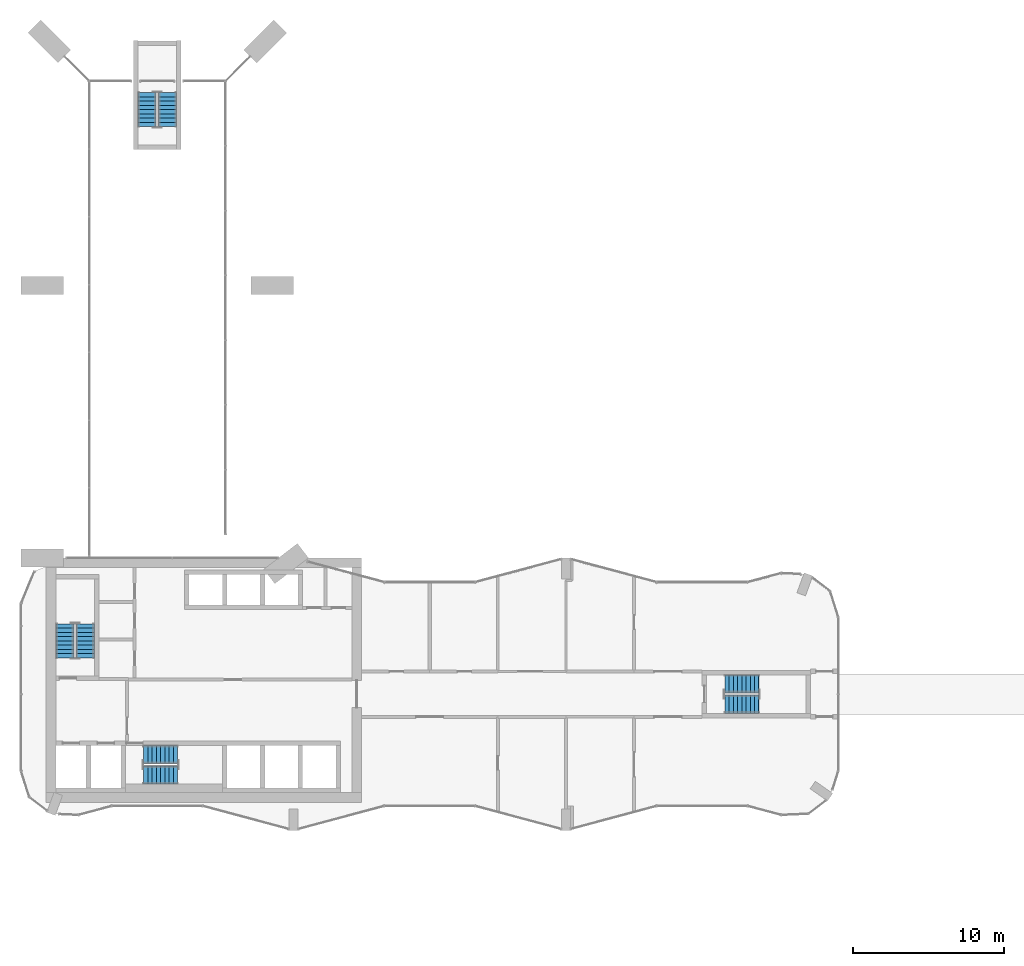
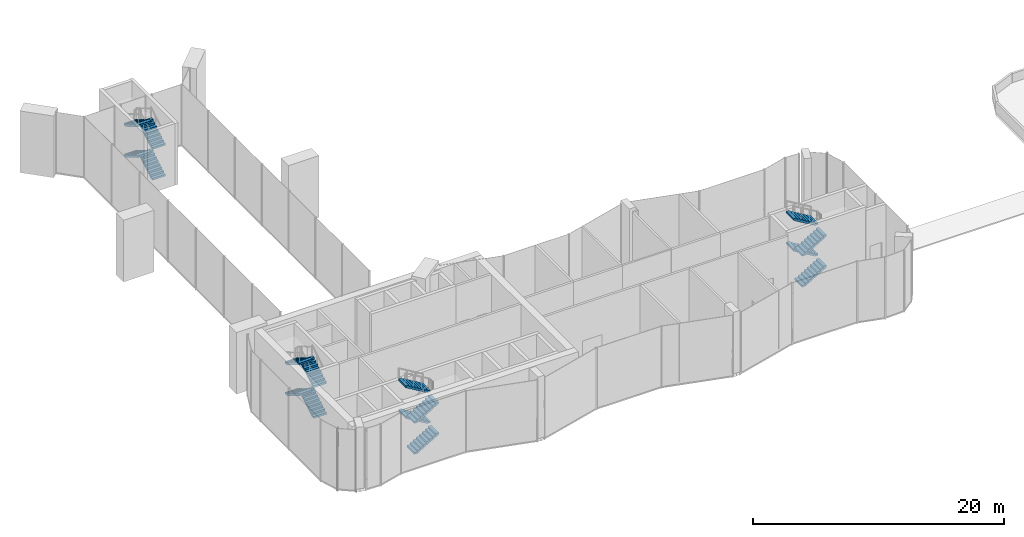
# One storey, part 14 of 19: 16 stair flights, 4 elements without a shape of their own.
"""IFC4 building model written with IfcOpenShell, lengths in metres."""

import ifcopenshell
import ifcopenshell.guid

model = None  # the IFC model being written
_history = None  # IfcOwnerHistory: only IFC2X3 demands one
_inside = {}  # id of a spatial element -> (the spatial element, [elements in it])
_under = {}  # id of a project, library or spatial element -> (it, [spatial elements below it])
_declared = {}  # id of a project -> (the project, [libraries it declares])
_typed = {}  # id of a type object -> (the type object, [elements of that type])
_made_of = {}  # id of a material, layer set ... -> (it, [elements and type objects made of it])


def new_model(schema):
    """Start an empty IFC model of exactly this schema.

    Asked for "IFC4X3", IfcOpenShell would pick the latest addendum, in which some entities
    have other attributes; the version numbers below select the first issue.
    IFC2X3 requires an IfcOwnerHistory on every rooted entity: one is made here for all.
    """
    global model, _history
    if schema == "IFC4X3":
        model = ifcopenshell.file(schema_version=(4, 3, 0, 0))
    else:
        model = ifcopenshell.file(schema=schema)
    _inside.clear()
    _under.clear()
    _declared.clear()
    _typed.clear()
    _made_of.clear()
    _history = None
    if model.schema == "IFC2X3":
        org = make("IfcOrganization", Name="unknown")
        user = make(
            "IfcPersonAndOrganization",
            ThePerson=make("IfcPerson", FamilyName="unknown"),
            TheOrganization=org,
        )
        app = make(
            "IfcApplication",
            ApplicationDeveloper=org,
            Version="unknown",
            ApplicationFullName="unknown",
            ApplicationIdentifier="unknown",
        )
        _history = make(
            "IfcOwnerHistory",
            OwningUser=user,
            OwningApplication=app,
            ChangeAction="ADDED",
            CreationDate=0,
        )
    return model


def make(cls, **values):
    """One entity of the class cls with the attributes given. An attribute that is None is left unset."""
    return model.create_entity(
        cls, **{name: value for name, value in values.items() if value is not None}
    )


def rooted(cls, **values):
    """An entity with a GlobalId (a new one), such as an element, a storey or a relation."""
    return make(cls, GlobalId=ifcopenshell.guid.new(), OwnerHistory=_history, **values)


def si_unit(unit_type, name, prefix=None):
    """IfcSIUnit, for example si_unit("LENGTHUNIT", "METRE", prefix="MILLI")."""
    return make("IfcSIUnit", UnitType=unit_type, Prefix=prefix, Name=name)


def assignment(units):
    """IfcUnitAssignment: the units of a project."""
    return None if units is None else make("IfcUnitAssignment", Units=units)


def point(xyz):
    """IfcCartesianPoint."""
    return None if xyz is None else make("IfcCartesianPoint", Coordinates=xyz)


def direction(xyz):
    """IfcDirection."""
    return None if xyz is None else make("IfcDirection", DirectionRatios=xyz)


def frame(location, z_axis=None, x_axis=None):
    """IfcAxis2Placement3D, a coordinate frame: its origin and axes. An axis left out is left unset."""
    return make(
        "IfcAxis2Placement3D",
        Location=point(location),
        Axis=direction(z_axis),
        RefDirection=direction(x_axis),
    )


def origin():
    """The frame at (0, 0, 0) with its axes left unset."""
    return frame((0.0, 0.0, 0.0))


def place(relative_to, where):
    """IfcLocalPlacement: puts the frame where relative to a parent placement (None: the world)."""
    return make(
        "IfcLocalPlacement", PlacementRelTo=relative_to, RelativePlacement=where
    )


def context(
    kind, dimensions, precision=None, world=None, true_north=None, identifier=None
):
    """IfcGeometricRepresentationContext, for example the 3D "Model" context."""
    return make(
        "IfcGeometricRepresentationContext",
        ContextIdentifier=identifier,
        ContextType=kind,
        CoordinateSpaceDimension=dimensions,
        Precision=precision,
        WorldCoordinateSystem=world,
        TrueNorth=true_north,
    )


def subcontext(parent, identifier, kind, view, scale=None):
    """IfcGeometricRepresentationSubContext, for example "Body" below "Model"."""
    return make(
        "IfcGeometricRepresentationSubContext",
        ContextIdentifier=identifier,
        ContextType=kind,
        ParentContext=parent,
        TargetScale=scale,
        TargetView=view,
    )


def project(units=None, contexts=None):
    """IfcProject with its units and contexts."""
    return rooted(
        "IfcProject",
        Name="project",
        RepresentationContexts=contexts,
        UnitsInContext=assignment(units),
    )


def spatial(cls, under=None, at=None, **own):
    """A site, building, storey or space (cls), placed at a placement, below another one or the project."""
    s = rooted(cls, ObjectPlacement=at, **own)
    if under is not None:
        _under.setdefault(under.id(), (under, []))[1].append(s)
    return s


def polyline(points):
    """IfcPolyline through the points."""
    return make("IfcPolyline", Points=[point(p) for p in points])


def outline(outer, holes=None, kind="AREA"):
    """IfcArbitraryClosedProfileDef: a profile drawn as a closed curve; with holes, ...WithVoids."""
    if holes is None:
        return make("IfcArbitraryClosedProfileDef", ProfileType=kind, OuterCurve=outer)
    return make(
        "IfcArbitraryProfileDefWithVoids",
        ProfileType=kind,
        OuterCurve=outer,
        InnerCurves=holes,
    )


def extrude(swept, where, along, depth):
    """IfcExtrudedAreaSolid: the profile swept, set in the frame where, extruded along a direction by depth."""
    return make(
        "IfcExtrudedAreaSolid",
        SweptArea=swept,
        Position=where,
        ExtrudedDirection=direction(along),
        Depth=depth,
    )


def shape(context_of_items, identifier, shape_type, items):
    """IfcShapeRepresentation: the items that make up one representation, for example the "Body"."""
    return make(
        "IfcShapeRepresentation",
        ContextOfItems=context_of_items,
        RepresentationIdentifier=identifier,
        RepresentationType=shape_type,
        Items=items,
    )


def material(Name=None, Category=None):
    """IfcMaterial."""
    return make("IfcMaterial", Name=Name, Category=Category)


def made_of(thing, what):
    """Note that an element or type object is made of a material, layer set ...; save() writes the relation."""
    if what is not None:
        _made_of.setdefault(what.id(), (what, []))[1].append(thing)
    return thing


def type_object(cls, material=None, **own):
    """A type object (cls), such as IfcWallType, which elements share."""
    return made_of(rooted(cls, **own), material)


def element(
    cls,
    number,
    at=None,
    inside=None,
    cuts=None,
    type_object=None,
    material=None,
    context=None,
    identifier="Body",
    shape_type=None,
    held_by="IfcProductDefinitionShape",
    body=None,
    shapes=None,
    **own,
):
    """One element of the class cls, such as IfcWall. Its Tag is "e" and its number.

    at: its placement. inside: the storey or other place that contains it. cuts: it is an
    opening in that element (IfcRelVoidsElement). A single representation is given by context,
    identifier, shape_type and body (its items); several are given by shapes. held_by: the class
    of the entity that holds the representations. save() writes the other relations.
    """
    e = rooted(cls, Tag="e%d" % number, ObjectPlacement=at, **own)
    if body is not None:
        shapes = [shape(context, identifier, shape_type, body)]
    if shapes is not None:
        e.Representation = make(held_by, Representations=shapes)
    if inside is not None:
        _inside.setdefault(inside.id(), (inside, []))[1].append(e)
    if cuts is not None:
        rooted(
            "IfcRelVoidsElement", RelatingBuildingElement=cuts, RelatedOpeningElement=e
        )
    if type_object is not None:
        _typed.setdefault(type_object.id(), (type_object, []))[1].append(e)
    return made_of(e, material)


def aggregate(whole, parts):
    """IfcRelAggregates: a whole, such as a stair, and the parts it consists of."""
    return rooted("IfcRelAggregates", RelatingObject=whole, RelatedObjects=parts)


def save(model, path):
    """Write the relations noted so far, then the file.

    IfcRelAggregates (storeys below a building ...), IfcRelContainedInSpatialStructure (elements
    in a storey), IfcRelDefinesByType, IfcRelAssociatesMaterial and IfcRelDeclares: one each for
    every whole, place, type object, material and project.
    """
    for whole, parts in _under.values():
        aggregate(whole, parts)
    for where, things in _inside.values():
        rooted(
            "IfcRelContainedInSpatialStructure",
            RelatedElements=things,
            RelatingStructure=where,
        )
    for kind, things in _typed.values():
        rooted("IfcRelDefinesByType", RelatedObjects=things, RelatingType=kind)
    for what, things in _made_of.values():
        rooted("IfcRelAssociatesMaterial", RelatedObjects=things, RelatingMaterial=what)
    for by, libraries in _declared.values():
        rooted("IfcRelDeclares", RelatingContext=by, RelatedDefinitions=libraries)
    model.write(path)


model = new_model("IFC4")

# Units and contexts
model_context = context("Model", 3, precision=1e-05, world=origin(), true_north=direction((0.0, 1.0)))
body_context = subcontext(model_context, "Body", "Model", "MODEL_VIEW")
ifc_project = project(units=[si_unit("LENGTHUNIT", "METRE"), si_unit("AREAUNIT", "SQUARE_METRE"), si_unit("VOLUMEUNIT", "CUBIC_METRE"), si_unit("PLANEANGLEUNIT", "RADIAN"), si_unit("MASSUNIT", "GRAM", prefix="KILO")], contexts=[model_context])

# Site, building, storey
site_placement = place(None, origin())
site = spatial("IfcSite", under=ifc_project, at=site_placement, CompositionType="ELEMENT")
building_placement = place(site_placement, origin())
building = spatial("IfcBuilding", under=site, at=building_placement, Name="Plateau Cross Towers", CompositionType="ELEMENT")
storey_placement = place(building_placement, frame((0.0, 0.0, 128.60009765625)))
storey = spatial("IfcBuildingStorey", under=building, at=storey_placement, Name="L33", CompositionType="ELEMENT", Elevation=128.60009765625)

# Stair, stair flights
ifc_material = material(Name="Concrete C40/50", Category="concrete")
stair_type = type_object("IfcStairType", Name="ST-TWR", PredefinedType="HALF_TURN_STAIR", material=ifc_material)
stair_1_placement = place(storey_placement, origin())
stair_1 = element("IfcStair", 1, at=stair_1_placement, inside=storey, type_object=stair_type, Name="L33 Protected Exit Stair ST-1", PredefinedType="HALF_TURN_STAIR")
stair_flight_type = type_object("IfcStairFlightType", Name="SFL-RC", PredefinedType="STRAIGHT", material=ifc_material)
stair_flight_1_placement = place(storey_placement, frame((4.25, 11.39990234375, 0.0), z_axis=(0.0, 0.0, 1.0), x_axis=(0.0, 1.0, 0.0)))
stair_flight_1 = element("IfcStairFlight", 2, at=stair_flight_1_placement, type_object=stair_flight_type, Name="ST-1 flight 1", NumberOfRisers=9, NumberOfTreads=8, PredefinedType="STRAIGHT", RiserHeight=0.166666667, TreadLength=0.28, context=body_context, shape_type="SweptSolid", body=[
    extrude(outline(polyline([(-0.0048828125, -0.010009765625), (-0.0048828125, 0.0), (0.0, 0.0), (0.0, 0.166748046875), (0.280029296875, 0.166748046875), (0.280029296875, 0.333251953125), (0.56005859375, 0.333251953125), (0.56005859375, 0.5), (0.840087890625, 0.5), (0.840087890625, 0.666748046875), (1.1201171875, 0.666748046875), (1.1201171875, 0.833251953125), (1.39990234375, 0.833251953125), (1.39990234375, 1.0), (1.679931640625, 1.0), (1.679931640625, 1.166748046875), (1.9599609375, 1.166748046875), (1.9599609375, 1.333251953125), (2.239990234375, 1.333251953125), (2.2451171875, 1.3232421875), (2.2451171875, 1.158935546875), (2.239990234375, 1.158935546875), (0.29296875, 0.0), (0.02001953125, 0.0), (0.02001953125, -0.010009765625), (-0.0048828125, -0.010009765625)])), frame((0.0, 0.60009765625, 0.0), z_axis=(0.0, -1.0, 0.0), x_axis=(1.0, 0.0, 0.0)), (0.0, 0.0, 1.0), 1.199951171875),
])
stair_flight_2_placement = place(storey_placement, frame((2.89990234375, 13.639892578125, 1.5), z_axis=(0.0, 0.0, 1.0), x_axis=(0.0, -1.0, 0.0)))
stair_flight_2 = element("IfcStairFlight", 3, at=stair_flight_2_placement, type_object=stair_flight_type, Name="ST-1 flight 2", NumberOfRisers=9, NumberOfTreads=8, PredefinedType="STRAIGHT", RiserHeight=0.166666667, TreadLength=0.28, context=body_context, shape_type="SweptSolid", body=[
    extrude(outline(polyline([(-0.0048828125, -0.010009765625), (-0.0048828125, 0.0), (0.0, 0.0), (0.0, 0.166748046875), (0.280029296875, 0.166748046875), (0.280029296875, 0.333251953125), (0.56005859375, 0.333251953125), (0.56005859375, 0.5), (0.840087890625, 0.5), (0.840087890625, 0.666748046875), (1.1201171875, 0.666748046875), (1.1201171875, 0.833251953125), (1.39990234375, 0.833251953125), (1.39990234375, 1.0), (1.679931640625, 1.0), (1.679931640625, 1.166748046875), (1.9599609375, 1.166748046875), (1.9599609375, 1.333251953125), (2.239990234375, 1.333251953125), (2.2451171875, 1.3232421875), (2.2451171875, 1.158935546875), (2.239990234375, 1.158935546875), (0.29296875, 0.0), (0.02001953125, 0.0), (0.02001953125, -0.010009765625), (-0.0048828125, -0.010009765625)])), frame((0.0, 0.60009765625, 0.0), z_axis=(0.0, -1.0, 0.0), x_axis=(1.0, 0.0, 0.0)), (0.0, 0.0, 1.0), 1.199951171875),
])
stair_flight_3_placement = place(storey_placement, frame((4.25, 11.39990234375, 3.0), z_axis=(0.0, 0.0, 1.0), x_axis=(0.0, 1.0, 0.0)))
stair_flight_3 = element("IfcStairFlight", 4, at=stair_flight_3_placement, type_object=stair_flight_type, Name="ST-1 flight 3", NumberOfRisers=9, NumberOfTreads=8, PredefinedType="STRAIGHT", RiserHeight=0.166666667, TreadLength=0.28, context=body_context, shape_type="SweptSolid", body=[
    extrude(outline(polyline([(-0.0048828125, -0.010009765625), (-0.0048828125, 0.0), (0.0, 0.0), (0.0, 0.166748046875), (0.280029296875, 0.166748046875), (0.280029296875, 0.333251953125), (0.56005859375, 0.333251953125), (0.56005859375, 0.5), (0.840087890625, 0.5), (0.840087890625, 0.666748046875), (1.1201171875, 0.666748046875), (1.1201171875, 0.833251953125), (1.39990234375, 0.833251953125), (1.39990234375, 1.0), (1.679931640625, 1.0), (1.679931640625, 1.166748046875), (1.9599609375, 1.166748046875), (1.9599609375, 1.333251953125), (2.239990234375, 1.333251953125), (2.2451171875, 1.3232421875), (2.2451171875, 1.158935546875), (2.239990234375, 1.158935546875), (0.29296875, 0.0), (0.02001953125, 0.0), (0.02001953125, -0.010009765625), (-0.0048828125, -0.010009765625)])), frame((0.0, 0.60009765625, 0.0), z_axis=(0.0, -1.0, 0.0), x_axis=(1.0, 0.0, 0.0)), (0.0, 0.0, 1.0), 1.199951171875),
])
stair_flight_4_placement = place(storey_placement, frame((2.89990234375, 13.639892578125, 4.5), z_axis=(0.0, 0.0, 1.0), x_axis=(0.0, -1.0, 0.0)))
stair_flight_4 = element("IfcStairFlight", 5, at=stair_flight_4_placement, type_object=stair_flight_type, Name="ST-1 flight 4", NumberOfRisers=9, NumberOfTreads=8, PredefinedType="STRAIGHT", RiserHeight=0.166666667, TreadLength=0.28, context=body_context, shape_type="SweptSolid", body=[
    extrude(outline(polyline([(-0.0048828125, -0.010009765625), (-0.0048828125, 0.0), (0.0, 0.0), (0.0, 0.166748046875), (0.280029296875, 0.166748046875), (0.280029296875, 0.333251953125), (0.56005859375, 0.333251953125), (0.56005859375, 0.5), (0.840087890625, 0.5), (0.840087890625, 0.666748046875), (1.1201171875, 0.666748046875), (1.1201171875, 0.833251953125), (1.39990234375, 0.833251953125), (1.39990234375, 1.0), (1.679931640625, 1.0), (1.679931640625, 1.166748046875), (1.9599609375, 1.166748046875), (1.9599609375, 1.333251953125), (2.239990234375, 1.333251953125), (2.2451171875, 1.3232421875), (2.2451171875, 1.158935546875), (2.239990234375, 1.158935546875), (0.29296875, 0.0), (0.02001953125, 0.0), (0.02001953125, -0.010009765625), (-0.0048828125, -0.010009765625)])), frame((0.0, 0.60009765625, 0.0), z_axis=(0.0, -1.0, 0.0), x_axis=(1.0, 0.0, 0.0)), (0.0, 0.0, 1.0), 1.199951171875),
])
aggregate(stair_1, [stair_flight_1, stair_flight_2, stair_flight_3, stair_flight_4])

stair_2_placement = place(storey_placement, origin())
stair_2 = element("IfcStair", 6, at=stair_2_placement, inside=storey, type_object=stair_type, Name="L33 Protected Exit Stair ST-2", PredefinedType="HALF_TURN_STAIR")
stair_flight_5_placement = place(storey_placement, frame((8.10009765625, 3.64990234375, 0.0), z_axis=(0.0, 0.0, 1.0), x_axis=(1.0, 0.0, 0.0)))
stair_flight_5 = element("IfcStairFlight", 7, at=stair_flight_5_placement, type_object=stair_flight_type, Name="ST-2 flight 1", NumberOfRisers=9, NumberOfTreads=8, PredefinedType="STRAIGHT", RiserHeight=0.166666667, TreadLength=0.28, context=body_context, shape_type="SweptSolid", body=[
    extrude(outline(polyline([(-0.0048828125, -0.010009765625), (-0.0048828125, 0.0), (0.0, 0.0), (0.0, 0.166748046875), (0.280029296875, 0.166748046875), (0.280029296875, 0.333251953125), (0.56005859375, 0.333251953125), (0.56005859375, 0.5), (0.840087890625, 0.5), (0.840087890625, 0.666748046875), (1.1201171875, 0.666748046875), (1.1201171875, 0.833251953125), (1.39990234375, 0.833251953125), (1.39990234375, 1.0), (1.679931640625, 1.0), (1.679931640625, 1.166748046875), (1.9599609375, 1.166748046875), (1.9599609375, 1.333251953125), (2.239990234375, 1.333251953125), (2.2451171875, 1.3232421875), (2.2451171875, 1.158935546875), (2.239990234375, 1.158935546875), (0.29296875, 0.0), (0.02001953125, 0.0), (0.02001953125, -0.010009765625), (-0.0048828125, -0.010009765625)])), frame((0.0, 0.60009765625, 0.0), z_axis=(0.0, -1.0, 0.0), x_axis=(1.0, 0.0, 0.0)), (0.0, 0.0, 1.0), 1.199951171875),
])
stair_flight_6_placement = place(storey_placement, frame((10.340087890625, 5.0, 1.5), z_axis=(0.0, 0.0, 1.0), x_axis=(-1.0, 0.0, 0.0)))
stair_flight_6 = element("IfcStairFlight", 8, at=stair_flight_6_placement, type_object=stair_flight_type, Name="ST-2 flight 2", NumberOfRisers=9, NumberOfTreads=8, PredefinedType="STRAIGHT", RiserHeight=0.166666667, TreadLength=0.28, context=body_context, shape_type="SweptSolid", body=[
    extrude(outline(polyline([(-0.0048828125, -0.010009765625), (-0.0048828125, 0.0), (0.0, 0.0), (0.0, 0.166748046875), (0.280029296875, 0.166748046875), (0.280029296875, 0.333251953125), (0.56005859375, 0.333251953125), (0.56005859375, 0.5), (0.840087890625, 0.5), (0.840087890625, 0.666748046875), (1.1201171875, 0.666748046875), (1.1201171875, 0.833251953125), (1.39990234375, 0.833251953125), (1.39990234375, 1.0), (1.679931640625, 1.0), (1.679931640625, 1.166748046875), (1.9599609375, 1.166748046875), (1.9599609375, 1.333251953125), (2.239990234375, 1.333251953125), (2.2451171875, 1.3232421875), (2.2451171875, 1.158935546875), (2.239990234375, 1.158935546875), (0.29296875, 0.0), (0.02001953125, 0.0), (0.02001953125, -0.010009765625), (-0.0048828125, -0.010009765625)])), frame((0.0, 0.60009765625, 0.0), z_axis=(0.0, -1.0, 0.0), x_axis=(1.0, 0.0, 0.0)), (0.0, 0.0, 1.0), 1.199951171875),
])
stair_flight_7_placement = place(storey_placement, frame((8.10009765625, 3.64990234375, 3.0), z_axis=(0.0, 0.0, 1.0), x_axis=(1.0, 0.0, 0.0)))
stair_flight_7 = element("IfcStairFlight", 9, at=stair_flight_7_placement, type_object=stair_flight_type, Name="ST-2 flight 3", NumberOfRisers=9, NumberOfTreads=8, PredefinedType="STRAIGHT", RiserHeight=0.166666667, TreadLength=0.28, context=body_context, shape_type="SweptSolid", body=[
    extrude(outline(polyline([(-0.0048828125, -0.010009765625), (-0.0048828125, 0.0), (0.0, 0.0), (0.0, 0.166748046875), (0.280029296875, 0.166748046875), (0.280029296875, 0.333251953125), (0.56005859375, 0.333251953125), (0.56005859375, 0.5), (0.840087890625, 0.5), (0.840087890625, 0.666748046875), (1.1201171875, 0.666748046875), (1.1201171875, 0.833251953125), (1.39990234375, 0.833251953125), (1.39990234375, 1.0), (1.679931640625, 1.0), (1.679931640625, 1.166748046875), (1.9599609375, 1.166748046875), (1.9599609375, 1.333251953125), (2.239990234375, 1.333251953125), (2.2451171875, 1.3232421875), (2.2451171875, 1.158935546875), (2.239990234375, 1.158935546875), (0.29296875, 0.0), (0.02001953125, 0.0), (0.02001953125, -0.010009765625), (-0.0048828125, -0.010009765625)])), frame((0.0, 0.60009765625, 0.0), z_axis=(0.0, -1.0, 0.0), x_axis=(1.0, 0.0, 0.0)), (0.0, 0.0, 1.0), 1.199951171875),
])
stair_flight_8_placement = place(storey_placement, frame((10.340087890625, 5.0, 4.5), z_axis=(0.0, 0.0, 1.0), x_axis=(-1.0, 0.0, 0.0)))
stair_flight_8 = element("IfcStairFlight", 10, at=stair_flight_8_placement, type_object=stair_flight_type, Name="ST-2 flight 4", NumberOfRisers=9, NumberOfTreads=8, PredefinedType="STRAIGHT", RiserHeight=0.166666667, TreadLength=0.28, context=body_context, shape_type="SweptSolid", body=[
    extrude(outline(polyline([(-0.0048828125, -0.010009765625), (-0.0048828125, 0.0), (0.0, 0.0), (0.0, 0.166748046875), (0.280029296875, 0.166748046875), (0.280029296875, 0.333251953125), (0.56005859375, 0.333251953125), (0.56005859375, 0.5), (0.840087890625, 0.5), (0.840087890625, 0.666748046875), (1.1201171875, 0.666748046875), (1.1201171875, 0.833251953125), (1.39990234375, 0.833251953125), (1.39990234375, 1.0), (1.679931640625, 1.0), (1.679931640625, 1.166748046875), (1.9599609375, 1.166748046875), (1.9599609375, 1.333251953125), (2.239990234375, 1.333251953125), (2.2451171875, 1.3232421875), (2.2451171875, 1.158935546875), (2.239990234375, 1.158935546875), (0.29296875, 0.0), (0.02001953125, 0.0), (0.02001953125, -0.010009765625), (-0.0048828125, -0.010009765625)])), frame((0.0, 0.60009765625, 0.0), z_axis=(0.0, -1.0, 0.0), x_axis=(1.0, 0.0, 0.0)), (0.0, 0.0, 1.0), 1.199951171875),
])
aggregate(stair_2, [stair_flight_5, stair_flight_6, stair_flight_7, stair_flight_8])

stair_3_placement = place(storey_placement, origin())
stair_3 = element("IfcStair", 11, at=stair_3_placement, inside=storey, type_object=stair_type, Name="L33 Protected Exit Stair E", PredefinedType="HALF_TURN_STAIR")
stair_flight_9_placement = place(storey_placement, frame((46.5, 8.324951171875, 0.0), z_axis=(0.0, 0.0, 1.0), x_axis=(1.0, 0.0, 0.0)))
stair_flight_9 = element("IfcStairFlight", 12, at=stair_flight_9_placement, type_object=stair_flight_type, Name="ES-E flight 1", NumberOfRisers=9, NumberOfTreads=8, PredefinedType="STRAIGHT", RiserHeight=0.166666667, TreadLength=0.28, context=body_context, shape_type="SweptSolid", body=[
    extrude(outline(polyline([(-0.0048828125, -0.010009765625), (-0.0048828125, 0.0), (0.0, 0.0), (0.0, 0.166748046875), (0.280029296875, 0.166748046875), (0.280029296875, 0.333251953125), (0.56005859375, 0.333251953125), (0.56005859375, 0.5), (0.840087890625, 0.5), (0.840087890625, 0.666748046875), (1.1201171875, 0.666748046875), (1.1201171875, 0.833251953125), (1.39990234375, 0.833251953125), (1.39990234375, 1.0), (1.679931640625, 1.0), (1.679931640625, 1.166748046875), (1.9599609375, 1.166748046875), (1.9599609375, 1.333251953125), (2.239990234375, 1.333251953125), (2.2451171875, 1.3232421875), (2.2451171875, 1.158935546875), (2.239990234375, 1.158935546875), (0.29296875, 0.0), (0.02001953125, 0.0), (0.02001953125, -0.010009765625), (-0.0048828125, -0.010009765625)])), frame((0.0, 0.60009765625, 0.0), z_axis=(0.0, -1.0, 0.0), x_axis=(1.0, 0.0, 0.0)), (0.0, 0.0, 1.0), 1.199951171875),
])
stair_flight_10_placement = place(storey_placement, frame((48.739990234375, 9.675048828125, 1.5), z_axis=(0.0, 0.0, 1.0), x_axis=(-1.0, 0.0, 0.0)))
stair_flight_10 = element("IfcStairFlight", 13, at=stair_flight_10_placement, type_object=stair_flight_type, Name="ES-E flight 2", NumberOfRisers=9, NumberOfTreads=8, PredefinedType="STRAIGHT", RiserHeight=0.166666667, TreadLength=0.28, context=body_context, shape_type="SweptSolid", body=[
    extrude(outline(polyline([(-0.0048828125, -0.010009765625), (-0.0048828125, 0.0), (0.0, 0.0), (0.0, 0.166748046875), (0.280029296875, 0.166748046875), (0.280029296875, 0.333251953125), (0.56005859375, 0.333251953125), (0.56005859375, 0.5), (0.840087890625, 0.5), (0.840087890625, 0.666748046875), (1.1201171875, 0.666748046875), (1.1201171875, 0.833251953125), (1.39990234375, 0.833251953125), (1.39990234375, 1.0), (1.679931640625, 1.0), (1.679931640625, 1.166748046875), (1.9599609375, 1.166748046875), (1.9599609375, 1.333251953125), (2.239990234375, 1.333251953125), (2.2451171875, 1.3232421875), (2.2451171875, 1.158935546875), (2.239990234375, 1.158935546875), (0.29296875, 0.0), (0.02001953125, 0.0), (0.02001953125, -0.010009765625), (-0.0048828125, -0.010009765625)])), frame((0.0, 0.60009765625, 0.0), z_axis=(0.0, -1.0, 0.0), x_axis=(1.0, 0.0, 0.0)), (0.0, 0.0, 1.0), 1.199951171875),
])
stair_flight_11_placement = place(storey_placement, frame((46.5, 8.324951171875, 3.0), z_axis=(0.0, 0.0, 1.0), x_axis=(1.0, 0.0, 0.0)))
stair_flight_11 = element("IfcStairFlight", 14, at=stair_flight_11_placement, type_object=stair_flight_type, Name="ES-E flight 3", NumberOfRisers=9, NumberOfTreads=8, PredefinedType="STRAIGHT", RiserHeight=0.166666667, TreadLength=0.28, context=body_context, shape_type="SweptSolid", body=[
    extrude(outline(polyline([(-0.0048828125, -0.010009765625), (-0.0048828125, 0.0), (0.0, 0.0), (0.0, 0.166748046875), (0.280029296875, 0.166748046875), (0.280029296875, 0.333251953125), (0.56005859375, 0.333251953125), (0.56005859375, 0.5), (0.840087890625, 0.5), (0.840087890625, 0.666748046875), (1.1201171875, 0.666748046875), (1.1201171875, 0.833251953125), (1.39990234375, 0.833251953125), (1.39990234375, 1.0), (1.679931640625, 1.0), (1.679931640625, 1.166748046875), (1.9599609375, 1.166748046875), (1.9599609375, 1.333251953125), (2.239990234375, 1.333251953125), (2.2451171875, 1.3232421875), (2.2451171875, 1.158935546875), (2.239990234375, 1.158935546875), (0.29296875, 0.0), (0.02001953125, 0.0), (0.02001953125, -0.010009765625), (-0.0048828125, -0.010009765625)])), frame((0.0, 0.60009765625, 0.0), z_axis=(0.0, -1.0, 0.0), x_axis=(1.0, 0.0, 0.0)), (0.0, 0.0, 1.0), 1.199951171875),
])
stair_flight_12_placement = place(storey_placement, frame((48.739990234375, 9.675048828125, 4.5), z_axis=(0.0, 0.0, 1.0), x_axis=(-1.0, 0.0, 0.0)))
stair_flight_12 = element("IfcStairFlight", 15, at=stair_flight_12_placement, type_object=stair_flight_type, Name="ES-E flight 4", NumberOfRisers=9, NumberOfTreads=8, PredefinedType="STRAIGHT", RiserHeight=0.166666667, TreadLength=0.28, context=body_context, shape_type="SweptSolid", body=[
    extrude(outline(polyline([(-0.0048828125, -0.010009765625), (-0.0048828125, 0.0), (0.0, 0.0), (0.0, 0.166748046875), (0.280029296875, 0.166748046875), (0.280029296875, 0.333251953125), (0.56005859375, 0.333251953125), (0.56005859375, 0.5), (0.840087890625, 0.5), (0.840087890625, 0.666748046875), (1.1201171875, 0.666748046875), (1.1201171875, 0.833251953125), (1.39990234375, 0.833251953125), (1.39990234375, 1.0), (1.679931640625, 1.0), (1.679931640625, 1.166748046875), (1.9599609375, 1.166748046875), (1.9599609375, 1.333251953125), (2.239990234375, 1.333251953125), (2.2451171875, 1.3232421875), (2.2451171875, 1.158935546875), (2.239990234375, 1.158935546875), (0.29296875, 0.0), (0.02001953125, 0.0), (0.02001953125, -0.010009765625), (-0.0048828125, -0.010009765625)])), frame((0.0, 0.60009765625, 0.0), z_axis=(0.0, -1.0, 0.0), x_axis=(1.0, 0.0, 0.0)), (0.0, 0.0, 1.0), 1.199951171875),
])
aggregate(stair_3, [stair_flight_9, stair_flight_10, stair_flight_11, stair_flight_12])

stair_4_placement = place(storey_placement, origin())
stair_4 = element("IfcStair", 16, at=stair_4_placement, inside=storey, type_object=stair_type, Name="L33 Protected Exit Stair N", PredefinedType="HALF_TURN_STAIR")
stair_flight_13_placement = place(storey_placement, frame((9.675048828125, 46.5, 0.0), z_axis=(0.0, 0.0, 1.0), x_axis=(0.0, 1.0, 0.0)))
stair_flight_13 = element("IfcStairFlight", 17, at=stair_flight_13_placement, type_object=stair_flight_type, Name="ES-N flight 1", NumberOfRisers=9, NumberOfTreads=8, PredefinedType="STRAIGHT", RiserHeight=0.166666667, TreadLength=0.28, context=body_context, shape_type="SweptSolid", body=[
    extrude(outline(polyline([(-0.0048828125, -0.010009765625), (-0.0048828125, 0.0), (0.0, 0.0), (0.0, 0.166748046875), (0.280029296875, 0.166748046875), (0.280029296875, 0.333251953125), (0.56005859375, 0.333251953125), (0.56005859375, 0.5), (0.840087890625, 0.5), (0.840087890625, 0.666748046875), (1.1201171875, 0.666748046875), (1.1201171875, 0.833251953125), (1.39990234375, 0.833251953125), (1.39990234375, 1.0), (1.679931640625, 1.0), (1.679931640625, 1.166748046875), (1.9599609375, 1.166748046875), (1.9599609375, 1.333251953125), (2.239990234375, 1.333251953125), (2.2451171875, 1.3232421875), (2.2451171875, 1.158935546875), (2.239990234375, 1.158935546875), (0.29296875, 0.0), (0.02001953125, 0.0), (0.02001953125, -0.010009765625), (-0.0048828125, -0.010009765625)])), frame((0.0, 0.60009765625, 0.0), z_axis=(0.0, -1.0, 0.0), x_axis=(1.0, 0.0, 0.0)), (0.0, 0.0, 1.0), 1.199951171875),
])
stair_flight_14_placement = place(storey_placement, frame((8.324951171875, 48.739990234375, 1.5), z_axis=(0.0, 0.0, 1.0), x_axis=(0.0, -1.0, 0.0)))
stair_flight_14 = element("IfcStairFlight", 18, at=stair_flight_14_placement, type_object=stair_flight_type, Name="ES-N flight 2", NumberOfRisers=9, NumberOfTreads=8, PredefinedType="STRAIGHT", RiserHeight=0.166666667, TreadLength=0.28, context=body_context, shape_type="SweptSolid", body=[
    extrude(outline(polyline([(-0.0048828125, -0.010009765625), (-0.0048828125, 0.0), (0.0, 0.0), (0.0, 0.166748046875), (0.280029296875, 0.166748046875), (0.280029296875, 0.333251953125), (0.56005859375, 0.333251953125), (0.56005859375, 0.5), (0.840087890625, 0.5), (0.840087890625, 0.666748046875), (1.1201171875, 0.666748046875), (1.1201171875, 0.833251953125), (1.39990234375, 0.833251953125), (1.39990234375, 1.0), (1.679931640625, 1.0), (1.679931640625, 1.166748046875), (1.9599609375, 1.166748046875), (1.9599609375, 1.333251953125), (2.239990234375, 1.333251953125), (2.2451171875, 1.3232421875), (2.2451171875, 1.158935546875), (2.239990234375, 1.158935546875), (0.29296875, 0.0), (0.02001953125, 0.0), (0.02001953125, -0.010009765625), (-0.0048828125, -0.010009765625)])), frame((0.0, 0.60009765625, 0.0), z_axis=(0.0, -1.0, 0.0), x_axis=(1.0, 0.0, 0.0)), (0.0, 0.0, 1.0), 1.199951171875),
])
stair_flight_15_placement = place(storey_placement, frame((9.675048828125, 46.5, 3.0), z_axis=(0.0, 0.0, 1.0), x_axis=(0.0, 1.0, 0.0)))
stair_flight_15 = element("IfcStairFlight", 19, at=stair_flight_15_placement, type_object=stair_flight_type, Name="ES-N flight 3", NumberOfRisers=9, NumberOfTreads=8, PredefinedType="STRAIGHT", RiserHeight=0.166666667, TreadLength=0.28, context=body_context, shape_type="SweptSolid", body=[
    extrude(outline(polyline([(-0.0048828125, -0.010009765625), (-0.0048828125, 0.0), (0.0, 0.0), (0.0, 0.166748046875), (0.280029296875, 0.166748046875), (0.280029296875, 0.333251953125), (0.56005859375, 0.333251953125), (0.56005859375, 0.5), (0.840087890625, 0.5), (0.840087890625, 0.666748046875), (1.1201171875, 0.666748046875), (1.1201171875, 0.833251953125), (1.39990234375, 0.833251953125), (1.39990234375, 1.0), (1.679931640625, 1.0), (1.679931640625, 1.166748046875), (1.9599609375, 1.166748046875), (1.9599609375, 1.333251953125), (2.239990234375, 1.333251953125), (2.2451171875, 1.3232421875), (2.2451171875, 1.158935546875), (2.239990234375, 1.158935546875), (0.29296875, 0.0), (0.02001953125, 0.0), (0.02001953125, -0.010009765625), (-0.0048828125, -0.010009765625)])), frame((0.0, 0.60009765625, 0.0), z_axis=(0.0, -1.0, 0.0), x_axis=(1.0, 0.0, 0.0)), (0.0, 0.0, 1.0), 1.199951171875),
])
stair_flight_16_placement = place(storey_placement, frame((8.324951171875, 48.739990234375, 4.5), z_axis=(0.0, 0.0, 1.0), x_axis=(0.0, -1.0, 0.0)))
stair_flight_16 = element("IfcStairFlight", 20, at=stair_flight_16_placement, type_object=stair_flight_type, Name="ES-N flight 4", NumberOfRisers=9, NumberOfTreads=8, PredefinedType="STRAIGHT", RiserHeight=0.166666667, TreadLength=0.28, context=body_context, shape_type="SweptSolid", body=[
    extrude(outline(polyline([(-0.0048828125, -0.010009765625), (-0.0048828125, 0.0), (0.0, 0.0), (0.0, 0.166748046875), (0.280029296875, 0.166748046875), (0.280029296875, 0.333251953125), (0.56005859375, 0.333251953125), (0.56005859375, 0.5), (0.840087890625, 0.5), (0.840087890625, 0.666748046875), (1.1201171875, 0.666748046875), (1.1201171875, 0.833251953125), (1.39990234375, 0.833251953125), (1.39990234375, 1.0), (1.679931640625, 1.0), (1.679931640625, 1.166748046875), (1.9599609375, 1.166748046875), (1.9599609375, 1.333251953125), (2.239990234375, 1.333251953125), (2.2451171875, 1.3232421875), (2.2451171875, 1.158935546875), (2.239990234375, 1.158935546875), (0.29296875, 0.0), (0.02001953125, 0.0), (0.02001953125, -0.010009765625), (-0.0048828125, -0.010009765625)])), frame((0.0, 0.60009765625, 0.0), z_axis=(0.0, -1.0, 0.0), x_axis=(1.0, 0.0, 0.0)), (0.0, 0.0, 1.0), 1.199951171875),
])
aggregate(stair_4, [stair_flight_13, stair_flight_14, stair_flight_15, stair_flight_16])

save(model, "model.ifc")
